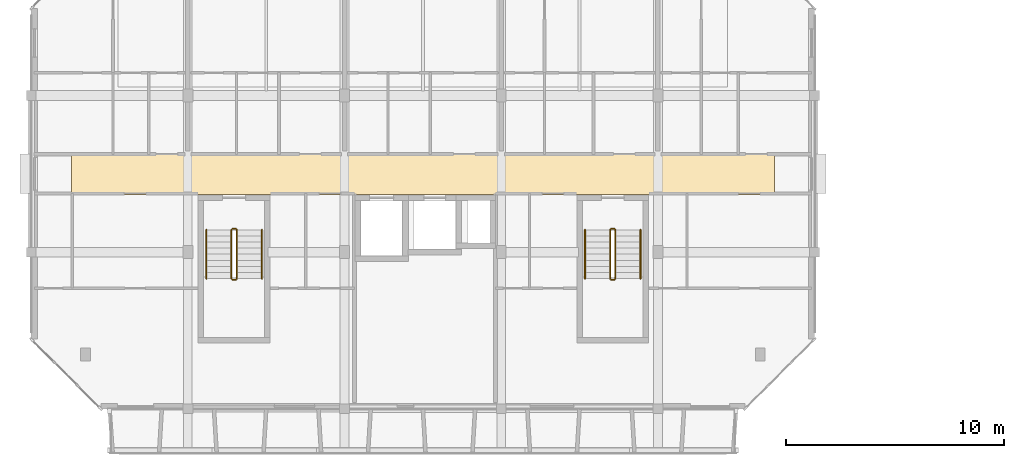
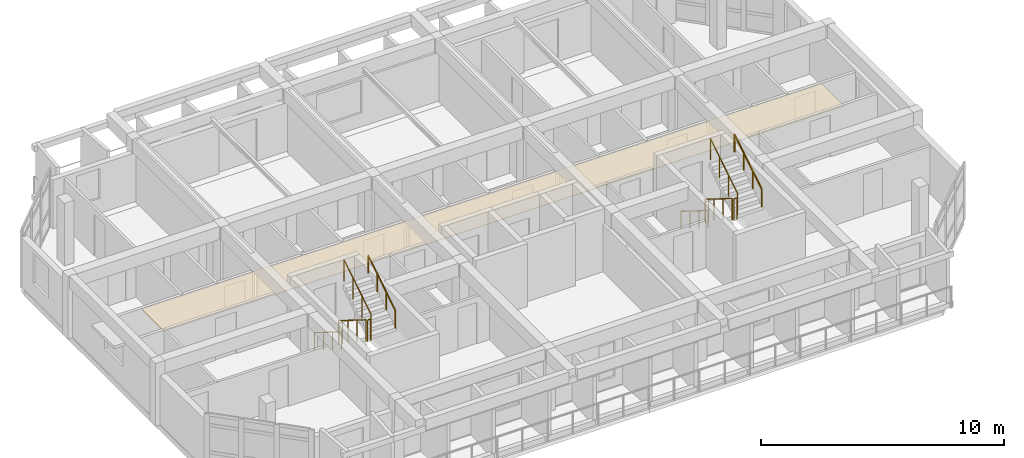
# One storey, part 37 of 43: 12 railings, 1 covering.
"""IFC4 building model written with IfcOpenShell, lengths in metres."""

from ifc_helpers import new_model, si_unit, direction, frame, origin, origin_2d, place, context, subcontext, project, spatial, polyline, circle, outline, extrude, material, layer, layer_set, type_object, element, save


model = new_model("IFC4")

# Units and contexts
model_context = context("Model", 3, precision=1e-05, world=origin(), true_north=direction((0.0, 1.0)))
body_context = subcontext(model_context, "Body", "Model", "MODEL_VIEW")
ifc_project = project(units=[si_unit("LENGTHUNIT", "METRE"), si_unit("AREAUNIT", "SQUARE_METRE"), si_unit("VOLUMEUNIT", "CUBIC_METRE"), si_unit("PLANEANGLEUNIT", "RADIAN"), si_unit("MASSUNIT", "GRAM", prefix="KILO")], contexts=[model_context])

# Site, building, storey
site_placement = place(None, origin())
site = spatial("IfcSite", under=ifc_project, at=site_placement, CompositionType="ELEMENT")
building_placement = place(site_placement, origin())
building = spatial("IfcBuilding", under=site, at=building_placement, Name="Ochrevale Crest", CompositionType="ELEMENT")
storey_placement = place(building_placement, frame((0.0, 0.0, 30.75)))
storey = spatial("IfcBuildingStorey", under=building, at=storey_placement, Name="L09", CompositionType="ELEMENT", Elevation=30.75)

# Covering
ifc_material_1 = material(Name="Gypsum plasterboard", Category="gypsum")
ifc_layer = layer(ifc_material_1, 0.02490234375)
ifc_layer_set = layer_set([ifc_layer], Name="Gypsum plasterboard")
covering_type = type_object("IfcCoveringType", Name="COV-CEIL-GYP", PredefinedType="CEILING", material=ifc_layer_set)
covering_placement = place(storey_placement, frame((0.0, 0.0, 2.280029296875)))
element("IfcCovering", 1, at=covering_placement, inside=storey, type_object=covering_type, Name="Block B L09 acoustic corridor ceiling", PredefinedType="CEILING", context=body_context, shape_type="SweptSolid", body=[
    extrude(outline(polyline([(1.85009765625, 81.860107421875), (34.14990234375, 81.860107421875), (34.14990234375, 83.739990234375), (1.85009765625, 83.739990234375), (1.85009765625, 81.860107421875)])), origin(), (0.0, 0.0, 1.0), 0.02490234375),
])

# Railings
ifc_material_2 = material(Name="Galvanised steel", Category="steel")
railing_type_1 = type_object("IfcRailingType", Name="RL-ST-GUARD", PredefinedType="BALUSTRADE", material=ifc_material_2)
railing_1_placement = place(storey_placement, frame((9.199951171875, 80.22509765625, 0.175048828125)))
element("IfcRailing", 2, at=railing_1_placement, inside=storey, type_object=railing_type_1, Name="L09 ST-B1 stair guard 1", PredefinedType="BALUSTRADE", context=body_context, shape_type="SweptSolid", body=[
    extrude(circle(Radius=0.02392578125, at=origin_2d()), frame((0.0, 0.0, 1.076171875), z_axis=(0.0, -0.848013881152, 0.529974015752), x_axis=(1.0, 0.0, 0.0)), (0.0, 0.0, 1.0), 2.641357421875),
    extrude(circle(Radius=0.02099609375, at=origin_2d()), origin(), (0.0, 0.0, 1.0), 1.052001953125),
    extrude(circle(Radius=0.02099609375, at=origin_2d()), frame((0.0, -0.74658203125, 0.466552734375)), (0.0, 0.0, 1.0), 1.052001953125),
    extrude(circle(Radius=0.02099609375, at=origin_2d()), frame((0.0, -1.493408203125, 0.933349609375)), (0.0, 0.0, 1.0), 1.052001953125),
    extrude(circle(Radius=0.02099609375, at=origin_2d()), frame((0.0, -2.239990234375, 1.39990234375)), (0.0, 0.0, 1.0), 1.052001953125),
])
railing_2_placement = place(storey_placement, frame((9.25, 77.93505859375, 1.574951171875)))
element("IfcRailing", 3, at=railing_2_placement, inside=storey, type_object=railing_type_1, Name="L09 ST-B1 stair guard 2", PredefinedType="BALUSTRADE", context=body_context, shape_type="SweptSolid", body=[
    extrude(circle(Radius=0.02392578125, at=origin_2d()), frame((0.0, 0.0, 1.076171875), z_axis=(1.0, 0.0, 0.0), x_axis=(0.0, 1.0, 0.0)), (0.0, 0.0, 1.0), 0.14990234375),
    extrude(circle(Radius=0.02099609375, at=origin_2d()), origin(), (0.0, 0.0, 1.0), 1.052001953125),
    extrude(circle(Radius=0.02099609375, at=origin_2d()), frame((0.14990234375, 0.0, 0.0)), (0.0, 0.0, 1.0), 1.052001953125),
])
railing_3_placement = place(storey_placement, frame((9.449951171875, 77.985107421875, 1.75)))
element("IfcRailing", 4, at=railing_3_placement, inside=storey, type_object=railing_type_1, Name="L09 ST-B1 stair guard 3", PredefinedType="BALUSTRADE", context=body_context, shape_type="SweptSolid", body=[
    extrude(circle(Radius=0.02392578125, at=origin_2d()), frame((0.0, 0.0, 1.076171875), z_axis=(0.0, 0.848013881152, 0.529974015752), x_axis=(-1.0, 0.0, 0.0)), (0.0, 0.0, 1.0), 2.641357421875),
    extrude(circle(Radius=0.02099609375, at=origin_2d()), origin(), (0.0, 0.0, 1.0), 1.052001953125),
    extrude(circle(Radius=0.02099609375, at=origin_2d()), frame((0.0, 0.74658203125, 0.466552734375)), (0.0, 0.0, 1.0), 1.052001953125),
    extrude(circle(Radius=0.02099609375, at=origin_2d()), frame((0.0, 1.493408203125, 0.933349609375)), (0.0, 0.0, 1.0), 1.052001953125),
    extrude(circle(Radius=0.02099609375, at=origin_2d()), frame((0.0, 2.239990234375, 1.39990234375)), (0.0, 0.0, 1.0), 1.052001953125),
])
railing_4_placement = place(storey_placement, frame((9.25, 80.27490234375, 0.0)))
element("IfcRailing", 5, at=railing_4_placement, inside=storey, type_object=railing_type_1, Name="L09 ST-B1 stair guard 4", PredefinedType="BALUSTRADE", context=body_context, shape_type="SweptSolid", body=[
    extrude(circle(Radius=0.02392578125, at=origin_2d()), frame((0.0, 0.0, 1.076171875), z_axis=(1.0, 0.0, 0.0), x_axis=(0.0, 1.0, 0.0)), (0.0, 0.0, 1.0), 0.14990234375),
    extrude(circle(Radius=0.02099609375, at=origin_2d()), origin(), (0.0, 0.0, 1.0), 1.052001953125),
    extrude(circle(Radius=0.02099609375, at=origin_2d()), frame((0.14990234375, 0.0, 0.0)), (0.0, 0.0, 1.0), 1.052001953125),
])
railing_5_placement = place(storey_placement, frame((26.60009765625, 80.22509765625, 0.175048828125)))
element("IfcRailing", 6, at=railing_5_placement, inside=storey, type_object=railing_type_1, Name="L09 ST-B2 stair guard 1", PredefinedType="BALUSTRADE", context=body_context, shape_type="SweptSolid", body=[
    extrude(circle(Radius=0.02392578125, at=origin_2d()), frame((0.0, 0.0, 1.076171875), z_axis=(0.0, -0.848013881152, 0.529974015752), x_axis=(1.0, 0.0, 0.0)), (0.0, 0.0, 1.0), 2.641357421875),
    extrude(circle(Radius=0.02099609375, at=origin_2d()), origin(), (0.0, 0.0, 1.0), 1.052001953125),
    extrude(circle(Radius=0.02099609375, at=origin_2d()), frame((0.0, -0.74658203125, 0.466552734375)), (0.0, 0.0, 1.0), 1.052001953125),
    extrude(circle(Radius=0.02099609375, at=origin_2d()), frame((0.0, -1.493408203125, 0.933349609375)), (0.0, 0.0, 1.0), 1.052001953125),
    extrude(circle(Radius=0.02099609375, at=origin_2d()), frame((0.0, -2.239990234375, 1.39990234375)), (0.0, 0.0, 1.0), 1.052001953125),
])
railing_6_placement = place(storey_placement, frame((26.64990234375, 77.93505859375, 1.574951171875)))
element("IfcRailing", 7, at=railing_6_placement, inside=storey, type_object=railing_type_1, Name="L09 ST-B2 stair guard 2", PredefinedType="BALUSTRADE", context=body_context, shape_type="SweptSolid", body=[
    extrude(circle(Radius=0.02392578125, at=origin_2d()), frame((0.0, 0.0, 1.076171875), z_axis=(1.0, 0.0, 0.0), x_axis=(0.0, 1.0, 0.0)), (0.0, 0.0, 1.0), 0.150146484375),
    extrude(circle(Radius=0.02099609375, at=origin_2d()), origin(), (0.0, 0.0, 1.0), 1.052001953125),
    extrude(circle(Radius=0.02099609375, at=origin_2d()), frame((0.150146484375, 0.0, 0.0)), (0.0, 0.0, 1.0), 1.052001953125),
])
railing_7_placement = place(storey_placement, frame((26.85009765625, 77.985107421875, 1.75)))
element("IfcRailing", 8, at=railing_7_placement, inside=storey, type_object=railing_type_1, Name="L09 ST-B2 stair guard 3", PredefinedType="BALUSTRADE", context=body_context, shape_type="SweptSolid", body=[
    extrude(circle(Radius=0.02392578125, at=origin_2d()), frame((0.0, 0.0, 1.076171875), z_axis=(0.0, 0.848013881152, 0.529974015752), x_axis=(-1.0, 0.0, 0.0)), (0.0, 0.0, 1.0), 2.641357421875),
    extrude(circle(Radius=0.02099609375, at=origin_2d()), origin(), (0.0, 0.0, 1.0), 1.052001953125),
    extrude(circle(Radius=0.02099609375, at=origin_2d()), frame((0.0, 0.74658203125, 0.466552734375)), (0.0, 0.0, 1.0), 1.052001953125),
    extrude(circle(Radius=0.02099609375, at=origin_2d()), frame((0.0, 1.493408203125, 0.933349609375)), (0.0, 0.0, 1.0), 1.052001953125),
    extrude(circle(Radius=0.02099609375, at=origin_2d()), frame((0.0, 2.239990234375, 1.39990234375)), (0.0, 0.0, 1.0), 1.052001953125),
])
railing_8_placement = place(storey_placement, frame((26.64990234375, 80.27490234375, 0.0)))
element("IfcRailing", 9, at=railing_8_placement, inside=storey, type_object=railing_type_1, Name="L09 ST-B2 stair guard 4", PredefinedType="BALUSTRADE", context=body_context, shape_type="SweptSolid", body=[
    extrude(circle(Radius=0.02392578125, at=origin_2d()), frame((0.0, 0.0, 1.076171875), z_axis=(1.0, 0.0, 0.0), x_axis=(0.0, 1.0, 0.0)), (0.0, 0.0, 1.0), 0.150146484375),
    extrude(circle(Radius=0.02099609375, at=origin_2d()), origin(), (0.0, 0.0, 1.0), 1.052001953125),
    extrude(circle(Radius=0.02099609375, at=origin_2d()), frame((0.150146484375, 0.0, 0.0)), (0.0, 0.0, 1.0), 1.052001953125),
])
ifc_material_3 = material(Name="Stainless steel", Category="steel")
railing_type_2 = type_object("IfcRailingType", Name="RL-ST-HRAIL", PredefinedType="HANDRAIL", material=ifc_material_3)
railing_9_placement = place(storey_placement, frame((8.050048828125, 80.22509765625, 0.175048828125)))
element("IfcRailing", 10, at=railing_9_placement, inside=storey, type_object=railing_type_2, Name="L09 ST-B1 stair handrail 1", PredefinedType="HANDRAIL", context=body_context, shape_type="SweptSolid", body=[
    extrude(circle(Radius=0.02392578125, at=origin_2d()), frame((0.0, 0.0, 0.8759765625), z_axis=(0.0, -0.848013881152, 0.529974015752), x_axis=(1.0, 0.0, 0.0)), (0.0, 0.0, 1.0), 2.641357421875),
    extrude(circle(Radius=0.02099609375, at=origin_2d()), origin(), (0.0, 0.0, 1.0), 0.851806640625),
    extrude(circle(Radius=0.02099609375, at=origin_2d()), frame((0.0, -0.74658203125, 0.466552734375)), (0.0, 0.0, 1.0), 0.851806640625),
    extrude(circle(Radius=0.02099609375, at=origin_2d()), frame((0.0, -1.493408203125, 0.933349609375)), (0.0, 0.0, 1.0), 0.851806640625),
    extrude(circle(Radius=0.02099609375, at=origin_2d()), frame((0.0, -2.239990234375, 1.39990234375)), (0.0, 0.0, 1.0), 0.851806640625),
])
railing_10_placement = place(storey_placement, frame((10.60009765625, 77.985107421875, 1.75)))
element("IfcRailing", 11, at=railing_10_placement, inside=storey, type_object=railing_type_2, Name="L09 ST-B1 stair handrail 2", PredefinedType="HANDRAIL", context=body_context, shape_type="SweptSolid", body=[
    extrude(circle(Radius=0.02392578125, at=origin_2d()), frame((0.0, 0.0, 0.8759765625), z_axis=(0.0, 0.848013881152, 0.529974015752), x_axis=(-1.0, 0.0, 0.0)), (0.0, 0.0, 1.0), 2.641357421875),
    extrude(circle(Radius=0.02099609375, at=origin_2d()), origin(), (0.0, 0.0, 1.0), 0.851806640625),
    extrude(circle(Radius=0.02099609375, at=origin_2d()), frame((0.0, 0.74658203125, 0.466552734375)), (0.0, 0.0, 1.0), 0.851806640625),
    extrude(circle(Radius=0.02099609375, at=origin_2d()), frame((0.0, 1.493408203125, 0.933349609375)), (0.0, 0.0, 1.0), 0.851806640625),
    extrude(circle(Radius=0.02099609375, at=origin_2d()), frame((0.0, 2.239990234375, 1.39990234375)), (0.0, 0.0, 1.0), 0.851806640625),
])
railing_11_placement = place(storey_placement, frame((25.449951171875, 80.22509765625, 0.175048828125)))
element("IfcRailing", 12, at=railing_11_placement, inside=storey, type_object=railing_type_2, Name="L09 ST-B2 stair handrail 1", PredefinedType="HANDRAIL", context=body_context, shape_type="SweptSolid", body=[
    extrude(circle(Radius=0.02392578125, at=origin_2d()), frame((0.0, 0.0, 0.8759765625), z_axis=(0.0, -0.848013881152, 0.529974015752), x_axis=(1.0, 0.0, 0.0)), (0.0, 0.0, 1.0), 2.641357421875),
    extrude(circle(Radius=0.02099609375, at=origin_2d()), origin(), (0.0, 0.0, 1.0), 0.851806640625),
    extrude(circle(Radius=0.02099609375, at=origin_2d()), frame((0.0, -0.74658203125, 0.466552734375)), (0.0, 0.0, 1.0), 0.851806640625),
    extrude(circle(Radius=0.02099609375, at=origin_2d()), frame((0.0, -1.493408203125, 0.933349609375)), (0.0, 0.0, 1.0), 0.851806640625),
    extrude(circle(Radius=0.02099609375, at=origin_2d()), frame((0.0, -2.239990234375, 1.39990234375)), (0.0, 0.0, 1.0), 0.851806640625),
])
railing_12_placement = place(storey_placement, frame((28.0, 77.985107421875, 1.75)))
element("IfcRailing", 13, at=railing_12_placement, inside=storey, type_object=railing_type_2, Name="L09 ST-B2 stair handrail 2", PredefinedType="HANDRAIL", context=body_context, shape_type="SweptSolid", body=[
    extrude(circle(Radius=0.02392578125, at=origin_2d()), frame((0.0, 0.0, 0.8759765625), z_axis=(0.0, 0.848013881152, 0.529974015752), x_axis=(-1.0, 0.0, 0.0)), (0.0, 0.0, 1.0), 2.641357421875),
    extrude(circle(Radius=0.02099609375, at=origin_2d()), origin(), (0.0, 0.0, 1.0), 0.851806640625),
    extrude(circle(Radius=0.02099609375, at=origin_2d()), frame((0.0, 0.74658203125, 0.466552734375)), (0.0, 0.0, 1.0), 0.851806640625),
    extrude(circle(Radius=0.02099609375, at=origin_2d()), frame((0.0, 1.493408203125, 0.933349609375)), (0.0, 0.0, 1.0), 0.851806640625),
    extrude(circle(Radius=0.02099609375, at=origin_2d()), frame((0.0, 2.239990234375, 1.39990234375)), (0.0, 0.0, 1.0), 0.851806640625),
])

save(model, "model.ifc")
